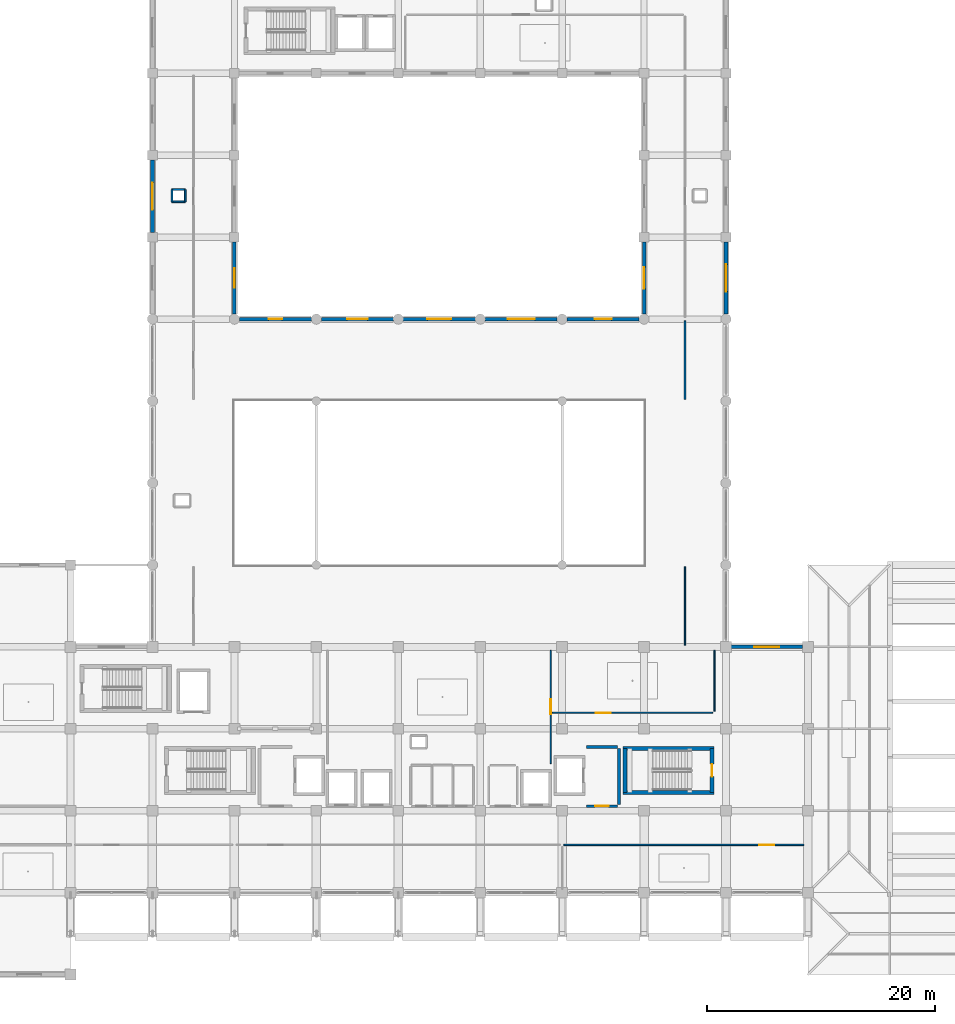
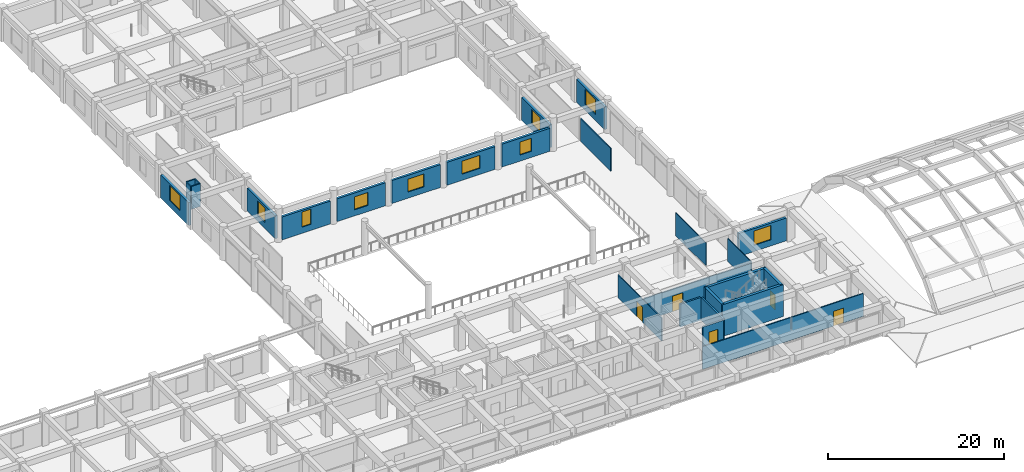
# One storey, part 35 of 54: 27 walls, 10 windows, 5 doors, 15 openings.
"""IFC4 building model written with IfcOpenShell, lengths in metres."""

from ifc_helpers import new_model, si_unit, direction, frame, frame_2d, origin, place, context, subcontext, project, spatial, rectangle, extrude, material, layer, layer_set, type_object, element, fill, save


model = new_model("IFC4")

# Units and contexts
model_context = context("Model", 3, precision=1e-05, world=origin(), true_north=direction((0.0, 1.0)))
body_context = subcontext(model_context, "Body", "Model", "MODEL_VIEW")
ifc_project = project(units=[si_unit("LENGTHUNIT", "METRE"), si_unit("AREAUNIT", "SQUARE_METRE"), si_unit("VOLUMEUNIT", "CUBIC_METRE"), si_unit("PLANEANGLEUNIT", "RADIAN"), si_unit("MASSUNIT", "GRAM", prefix="KILO")], contexts=[model_context])

# Site, building, storey
site_placement = place(None, origin())
site = spatial("IfcSite", under=ifc_project, at=site_placement, CompositionType="ELEMENT")
building_placement = place(site_placement, origin())
building = spatial("IfcBuilding", under=site, at=building_placement, Name="Kazehaya Institute of Natural Sciences", CompositionType="ELEMENT")
storey_placement = place(building_placement, frame((0.0, 0.0, 10.43994140625)))
storey = spatial("IfcBuildingStorey", under=building, at=storey_placement, Name="L02", CompositionType="ELEMENT", Elevation=10.43994140625)

# Walls
ifc_material_1 = material(Name="Concrete Fc42", Category="concrete")
ifc_layer_1 = layer(ifc_material_1, 0.35009765625, Name="Concrete Fc42", Category="concrete")
ifc_layer_set_1 = layer_set([ifc_layer_1], Name="Concrete Fc42")
wall_type_1 = type_object("IfcWallType", Name="WL-CORE-350", PredefinedType="SHEAR", material=ifc_layer_set_1)
for number, where, z_axis, x_axis, name in (
    (1, (111.155029296875, 22.820068359375, 0.0), (0.0, 0.0, 1.0), (-1.0, 0.0, 0.0), "L02 ST-2 core wall S"),
    (2, (103.14501953125, 26.659912109375, 0.0), (0.0, 0.0, 1.0), (1.0, 0.0, 0.0), "L02 ST-2 core wall N"),
):
    element("IfcWall", number, at=place(storey_placement, frame(where, z_axis=z_axis, x_axis=x_axis)), inside=storey, type_object=wall_type_1, Name=name, PredefinedType="SHEAR", context=body_context, shape_type="SweptSolid", body=[
        extrude(rectangle(XDim=8.010009765625, YDim=0.35009765625, at=frame_2d((4.0048828125, 0.0))), origin(), (0.0, 0.0, 1.0), 4.41015625),
    ])
wall_1_placement = place(storey_placement, frame((103.320068359375, 22.820068359375, 0.0), z_axis=(0.0, 0.0, 1.0), x_axis=(0.0, 1.0, 0.0)))
element("IfcWall", 3, at=wall_1_placement, inside=storey, type_object=wall_type_1, Name="L02 ST-2 core wall W", PredefinedType="SHEAR", context=body_context, shape_type="SweptSolid", body=[
    extrude(rectangle(XDim=3.83984375, YDim=0.35009765625, at=frame_2d((1.919921875, 0.0))), origin(), (0.0, 0.0, 1.0), 4.41015625),
])

# Wall, opening, door
wall_2_placement = place(storey_placement, frame((110.97998046875, 26.659912109375, 0.0), z_axis=(0.0, 0.0, 1.0), x_axis=(0.0, -1.0, 0.0)))
wall_2 = element("IfcWall", 4, at=wall_2_placement, inside=storey, type_object=wall_type_1, Name="L02 ST-2 core wall E", PredefinedType="SHEAR", context=body_context, shape_type="SweptSolid", body=[
    extrude(rectangle(XDim=3.83984375, YDim=0.35009765625, at=frame_2d((1.919921875, 0.0))), origin(), (0.0, 0.0, 1.0), 4.41015625),
])
opening_1_placement = place(wall_2_placement, frame((1.3701171875, 0.0, 0.0)))
opening_1 = element("IfcOpeningElement", 5, at=opening_1_placement, cuts=wall_2, Name="Opening D-ST-015", PredefinedType="OPENING", context=body_context, shape_type="SweptSolid", body=[
    extrude(rectangle(XDim=1.10009765625, YDim=2.06005859375, at=frame_2d((0.550048828125, 1.030029296875))), frame((0.0, 0.18505859375, 0.0), z_axis=(0.0, -1.0, 0.0), x_axis=(1.0, 0.0, 0.0)), (0.0, 0.0, 1.0), 0.3701171875),
])
ifc_material_2 = material(Name="Fire-rated steel acoustic door", Category="steel")
door_type_1 = type_object("IfcDoorType", Name="DT-FD-16", OperationType="NOTDEFINED", PredefinedType="DOOR", material=ifc_material_2)
door_1_placement = place(opening_1_placement, origin())
door_1 = element("IfcDoor", 6, at=door_1_placement, inside=storey, type_object=door_type_1, Name="L02 ST-2 stair enclosure door D-ST-015", OperationType="SINGLE_SWING_LEFT", OverallHeight=2.06005859375, OverallWidth=1.10009765625, PredefinedType="DOOR", context=body_context, shape_type="SweptSolid", body=[
    extrude(rectangle(XDim=1.10009765625, YDim=2.06005859375, at=frame_2d((0.550048828125, 1.030029296875))), frame((0.0, 0.02490234375, 0.0), z_axis=(0.0, -1.0, 0.0), x_axis=(1.0, 0.0, 0.0)), (0.0, 0.0, 1.0), 0.050048828125),
])
fill(opening_1, door_1)

# Wall, opening, window
ifc_material_3 = material(Name="Precast concrete Fc36", Category="concrete")
ifc_layer_2 = layer(ifc_material_3, 0.31005859375, Name="Precast concrete Fc36", Category="concrete")
ifc_layer_set_2 = layer_set([ifc_layer_2], Name="Precast concrete Fc36")
wall_type_2 = type_object("IfcWallType", Name="WL-EXT-310", PredefinedType="SOLIDWALL", material=ifc_layer_set_2)
wall_3_placement = place(storey_placement, frame((69.43505859375, 64.39990234375, 0.0), z_axis=(0.0, 0.0, 1.0), x_axis=(1.0, 0.0, 0.0)))
wall_3 = element("IfcWall", 7, at=wall_3_placement, inside=storey, type_object=wall_type_2, Name="L02 exterior wall EW-L02-0193", PredefinedType="SOLIDWALL", context=body_context, shape_type="SweptSolid", body=[
    extrude(rectangle(XDim=6.329833984375, YDim=0.31005859375, at=frame_2d((3.1650390625, 0.0))), origin(), (0.0, 0.0, 1.0), 3.18017578125),
])
opening_2_placement = place(wall_3_placement, frame((2.56494140625, 0.0, 0.85009765625)))
opening_2 = element("IfcOpeningElement", 8, at=opening_2_placement, cuts=wall_3, Name="Opening W10", PredefinedType="OPENING", context=body_context, shape_type="SweptSolid", body=[
    extrude(rectangle(XDim=1.199951171875, YDim=2.10009765625, at=frame_2d((0.60009765625, 1.050048828125))), frame((0.0, 0.1650390625, 0.0), z_axis=(0.0, -1.0, 0.0), x_axis=(1.0, 0.0, 0.0)), (0.0, 0.0, 1.0), 0.330078125),
])
ifc_material_4 = material(Name="Low-E double-glazed aluminium window", Category="aluminium")
window_type_1 = type_object("IfcWindowType", Name="WN-10", PartitioningType="SINGLE_PANEL", PredefinedType="WINDOW", material=ifc_material_4)
window_1_placement = place(opening_2_placement, origin())
window_1 = element("IfcWindow", 9, at=window_1_placement, inside=storey, type_object=window_type_1, Name="L02 facade window 0095", OverallHeight=2.10009765625, OverallWidth=1.199951171875, PartitioningType="SINGLE_PANEL", PredefinedType="WINDOW", context=body_context, shape_type="SweptSolid", body=[
    extrude(rectangle(XDim=1.199951171875, YDim=2.10009765625, at=frame_2d((0.60009765625, 1.050048828125))), frame((0.0, 0.030029296875, 0.0), z_axis=(0.0, -1.0, 0.0), x_axis=(1.0, 0.0, 0.0)), (0.0, 0.0, 1.0), 0.06005859375),
])
fill(opening_2, window_1)

wall_4_placement = place(storey_placement, frame((76.635009765625, 64.39990234375, 0.0), z_axis=(0.0, 0.0, 1.0), x_axis=(1.0, 0.0, 0.0)))
wall_4 = element("IfcWall", 10, at=wall_4_placement, inside=storey, type_object=wall_type_2, Name="L02 exterior wall EW-L02-0194", PredefinedType="SOLIDWALL", context=body_context, shape_type="SweptSolid", body=[
    extrude(rectangle(XDim=6.330078125, YDim=0.31005859375, at=frame_2d((3.1650390625, 0.0))), origin(), (0.0, 0.0, 1.0), 3.18017578125),
])
opening_3_placement = place(wall_4_placement, frame((2.264892578125, 0.0, 0.85009765625)))
opening_3 = element("IfcOpeningElement", 11, at=opening_3_placement, cuts=wall_4, Name="Opening W11", PredefinedType="OPENING", context=body_context, shape_type="SweptSolid", body=[
    extrude(rectangle(XDim=1.800048828125, YDim=1.800048828125, at=frame_2d((0.89990234375, 0.89990234375))), frame((0.0, 0.1650390625, 0.0), z_axis=(0.0, -1.0, 0.0), x_axis=(1.0, 0.0, 0.0)), (0.0, 0.0, 1.0), 0.330078125),
])
window_type_2 = type_object("IfcWindowType", Name="WN-11", PartitioningType="DOUBLE_PANEL_VERTICAL", PredefinedType="WINDOW", material=ifc_material_4)
window_2_placement = place(opening_3_placement, origin())
window_2 = element("IfcWindow", 12, at=window_2_placement, inside=storey, type_object=window_type_2, Name="L02 facade window 0096", OverallHeight=1.800048828125, OverallWidth=1.800048828125, PartitioningType="DOUBLE_PANEL_VERTICAL", PredefinedType="WINDOW", context=body_context, shape_type="SweptSolid", body=[
    extrude(rectangle(XDim=1.800048828125, YDim=1.800048828125, at=frame_2d((0.89990234375, 0.89990234375))), frame((0.0, 0.030029296875, 0.0), z_axis=(0.0, -1.0, 0.0), x_axis=(1.0, 0.0, 0.0)), (0.0, 0.0, 1.0), 0.06005859375),
])
fill(opening_3, window_2)

wall_5_placement = place(storey_placement, frame((83.8349609375, 64.39990234375, 0.0), z_axis=(0.0, 0.0, 1.0), x_axis=(1.0, 0.0, 0.0)))
wall_5 = element("IfcWall", 13, at=wall_5_placement, inside=storey, type_object=wall_type_2, Name="L02 exterior wall EW-L02-0195", PredefinedType="SOLIDWALL", context=body_context, shape_type="SweptSolid", body=[
    extrude(rectangle(XDim=6.330078125, YDim=0.31005859375, at=frame_2d((3.1650390625, 0.0))), origin(), (0.0, 0.0, 1.0), 3.18017578125),
])
opening_4_placement = place(wall_5_placement, frame((2.114990234375, 0.0, 0.85009765625)))
opening_4 = element("IfcOpeningElement", 14, at=opening_4_placement, cuts=wall_5, Name="Opening W12", PredefinedType="OPENING", context=body_context, shape_type="SweptSolid", body=[
    extrude(rectangle(XDim=2.10009765625, YDim=1.800048828125, at=frame_2d((1.050048828125, 0.89990234375))), frame((0.0, 0.1650390625, 0.0), z_axis=(0.0, -1.0, 0.0), x_axis=(1.0, 0.0, 0.0)), (0.0, 0.0, 1.0), 0.330078125),
])
window_type_3 = type_object("IfcWindowType", Name="WN-12", PartitioningType="DOUBLE_PANEL_VERTICAL", PredefinedType="WINDOW", material=ifc_material_4)
window_3_placement = place(opening_4_placement, origin())
window_3 = element("IfcWindow", 15, at=window_3_placement, inside=storey, type_object=window_type_3, Name="L02 facade window 0097", OverallHeight=1.800048828125, OverallWidth=2.10009765625, PartitioningType="DOUBLE_PANEL_VERTICAL", PredefinedType="WINDOW", context=body_context, shape_type="SweptSolid", body=[
    extrude(rectangle(XDim=2.10009765625, YDim=1.800048828125, at=frame_2d((1.050048828125, 0.89990234375))), frame((0.0, 0.030029296875, 0.0), z_axis=(0.0, -1.0, 0.0), x_axis=(1.0, 0.0, 0.0)), (0.0, 0.0, 1.0), 0.06005859375),
])
fill(opening_4, window_3)

wall_6_placement = place(storey_placement, frame((91.034912109375, 64.39990234375, 0.0), z_axis=(0.0, 0.0, 1.0), x_axis=(1.0, 0.0, 0.0)))
wall_6 = element("IfcWall", 16, at=wall_6_placement, inside=storey, type_object=wall_type_2, Name="L02 exterior wall EW-L02-0196", PredefinedType="SOLIDWALL", context=body_context, shape_type="SweptSolid", body=[
    extrude(rectangle(XDim=6.330078125, YDim=0.31005859375, at=frame_2d((3.1650390625, 0.0))), origin(), (0.0, 0.0, 1.0), 3.18017578125),
])
opening_5_placement = place(wall_6_placement, frame((1.965087890625, 0.0, 0.85009765625)))
opening_5 = element("IfcOpeningElement", 17, at=opening_5_placement, cuts=wall_6, Name="Opening W13", PredefinedType="OPENING", context=body_context, shape_type="SweptSolid", body=[
    extrude(rectangle(XDim=2.39990234375, YDim=1.800048828125, at=frame_2d((1.199951171875, 0.89990234375))), frame((0.0, 0.1650390625, 0.0), z_axis=(0.0, -1.0, 0.0), x_axis=(1.0, 0.0, 0.0)), (0.0, 0.0, 1.0), 0.330078125),
])
window_type_4 = type_object("IfcWindowType", Name="WN-13", PartitioningType="DOUBLE_PANEL_VERTICAL", PredefinedType="WINDOW", material=ifc_material_4)
window_4_placement = place(opening_5_placement, origin())
window_4 = element("IfcWindow", 18, at=window_4_placement, inside=storey, type_object=window_type_4, Name="L02 facade window 0098", OverallHeight=1.800048828125, OverallWidth=2.39990234375, PartitioningType="DOUBLE_PANEL_VERTICAL", PredefinedType="WINDOW", context=body_context, shape_type="SweptSolid", body=[
    extrude(rectangle(XDim=2.39990234375, YDim=1.800048828125, at=frame_2d((1.199951171875, 0.89990234375))), frame((0.0, 0.030029296875, 0.0), z_axis=(0.0, -1.0, 0.0), x_axis=(1.0, 0.0, 0.0)), (0.0, 0.0, 1.0), 0.06005859375),
])
fill(opening_5, window_4)

wall_7_placement = place(storey_placement, frame((98.235107421875, 64.39990234375, 0.0), z_axis=(0.0, 0.0, 1.0), x_axis=(1.0, 0.0, 0.0)))
wall_7 = element("IfcWall", 19, at=wall_7_placement, inside=storey, type_object=wall_type_2, Name="L02 exterior wall EW-L02-0197", PredefinedType="SOLIDWALL", context=body_context, shape_type="SweptSolid", body=[
    extrude(rectangle(XDim=6.329833984375, YDim=0.31005859375, at=frame_2d((3.1650390625, 0.0))), origin(), (0.0, 0.0, 1.0), 3.18017578125),
])
opening_6_placement = place(wall_7_placement, frame((2.4150390625, 0.0, 0.85009765625)))
opening_6 = element("IfcOpeningElement", 20, at=opening_6_placement, cuts=wall_7, Name="Opening W14", PredefinedType="OPENING", context=body_context, shape_type="SweptSolid", body=[
    extrude(rectangle(XDim=1.5, YDim=1.800048828125, at=frame_2d((0.75, 0.89990234375))), frame((0.0, 0.1650390625, 0.0), z_axis=(0.0, -1.0, 0.0), x_axis=(1.0, 0.0, 0.0)), (0.0, 0.0, 1.0), 0.330078125),
])
window_type_5 = type_object("IfcWindowType", Name="WN-14", PartitioningType="SINGLE_PANEL", PredefinedType="WINDOW", material=ifc_material_4)
window_5_placement = place(opening_6_placement, origin())
window_5 = element("IfcWindow", 21, at=window_5_placement, inside=storey, type_object=window_type_5, Name="L02 facade window 0099", OverallHeight=1.800048828125, OverallWidth=1.5, PartitioningType="SINGLE_PANEL", PredefinedType="WINDOW", context=body_context, shape_type="SweptSolid", body=[
    extrude(rectangle(XDim=1.5, YDim=1.800048828125, at=frame_2d((0.75, 0.89990234375))), frame((0.0, 0.030029296875, 0.0), z_axis=(0.0, -1.0, 0.0), x_axis=(1.0, 0.0, 0.0)), (0.0, 0.0, 1.0), 0.06005859375),
])
fill(opening_6, window_5)

wall_8_placement = place(storey_placement, frame((112.659912109375, 35.60009765625, 0.0), z_axis=(0.0, 0.0, 1.0), x_axis=(1.0, 0.0, 0.0)))
wall_8 = element("IfcWall", 22, at=wall_8_placement, inside=storey, type_object=wall_type_2, Name="L02 exterior wall EW-L02-0199", PredefinedType="SOLIDWALL", context=body_context, shape_type="SweptSolid", body=[
    extrude(rectangle(XDim=6.280029296875, YDim=0.31005859375, at=frame_2d((3.14013671875, 0.0))), origin(), (0.0, 0.0, 1.0), 3.18017578125),
])
opening_7_placement = place(wall_8_placement, frame((2.0400390625, 0.0, 0.85009765625)))
opening_7 = element("IfcOpeningElement", 23, at=opening_7_placement, cuts=wall_8, Name="Opening W20", PredefinedType="OPENING", context=body_context, shape_type="SweptSolid", body=[
    extrude(rectangle(XDim=2.199951171875, YDim=2.0, at=frame_2d((1.10009765625, 1.0))), frame((0.0, 0.1650390625, 0.0), z_axis=(0.0, -1.0, 0.0), x_axis=(1.0, 0.0, 0.0)), (0.0, 0.0, 1.0), 0.330078125),
])
window_type_6 = type_object("IfcWindowType", Name="WN-20", PartitioningType="DOUBLE_PANEL_VERTICAL", PredefinedType="WINDOW", material=ifc_material_4)
window_6_placement = place(opening_7_placement, origin())
window_6 = element("IfcWindow", 24, at=window_6_placement, inside=storey, type_object=window_type_6, Name="L02 facade window 0101", OverallHeight=2.0, OverallWidth=2.199951171875, PartitioningType="DOUBLE_PANEL_VERTICAL", PredefinedType="WINDOW", context=body_context, shape_type="SweptSolid", body=[
    extrude(rectangle(XDim=2.199951171875, YDim=2.0, at=frame_2d((1.10009765625, 1.0))), frame((0.0, 0.030029296875, 0.0), z_axis=(0.0, -1.0, 0.0), x_axis=(1.0, 0.0, 0.0)), (0.0, 0.0, 1.0), 0.06005859375),
])
fill(opening_7, window_6)

wall_9_placement = place(storey_placement, frame((69.0, 71.18994140625, 0.0), z_axis=(0.0, 0.0, 1.0), x_axis=(0.0, -1.0, 0.0)))
wall_9 = element("IfcWall", 25, at=wall_9_placement, inside=storey, type_object=wall_type_2, Name="L02 exterior wall EW-L02-0202", PredefinedType="SOLIDWALL", context=body_context, shape_type="SweptSolid", body=[
    extrude(rectangle(XDim=6.35498046875, YDim=0.31005859375, at=frame_2d((3.177490234375, 0.0))), origin(), (0.0, 0.0, 1.0), 3.18017578125),
])
opening_8_placement = place(wall_9_placement, frame((2.327392578125, 0.0, 0.85009765625)))
opening_8 = element("IfcOpeningElement", 26, at=opening_8_placement, cuts=wall_9, Name="Opening W22", PredefinedType="OPENING", context=body_context, shape_type="SweptSolid", body=[
    extrude(rectangle(XDim=1.699951171875, YDim=2.0, at=frame_2d((0.85009765625, 1.0))), frame((0.0, 0.1650390625, 0.0), z_axis=(0.0, -1.0, 0.0), x_axis=(1.0, 0.0, 0.0)), (0.0, 0.0, 1.0), 0.330078125),
])
window_type_7 = type_object("IfcWindowType", Name="WN-22", PartitioningType="SINGLE_PANEL", PredefinedType="WINDOW", material=ifc_material_4)
window_7_placement = place(opening_8_placement, origin())
window_7 = element("IfcWindow", 27, at=window_7_placement, inside=storey, type_object=window_type_7, Name="L02 facade window 0104", OverallHeight=2.0, OverallWidth=1.699951171875, PartitioningType="SINGLE_PANEL", PredefinedType="WINDOW", context=body_context, shape_type="SweptSolid", body=[
    extrude(rectangle(XDim=1.699951171875, YDim=2.0, at=frame_2d((0.85009765625, 1.0))), frame((0.0, 0.030029296875, 0.0), z_axis=(0.0, -1.0, 0.0), x_axis=(1.0, 0.0, 0.0)), (0.0, 0.0, 1.0), 0.06005859375),
])
fill(opening_8, window_7)

wall_10_placement = place(storey_placement, frame((105.0, 64.8349609375, 0.0), z_axis=(0.0, 0.0, 1.0), x_axis=(0.0, 1.0, 0.0)))
wall_10 = element("IfcWall", 28, at=wall_10_placement, inside=storey, type_object=wall_type_2, Name="L02 exterior wall EW-L02-0203", PredefinedType="SOLIDWALL", context=body_context, shape_type="SweptSolid", body=[
    extrude(rectangle(XDim=6.35498046875, YDim=0.31005859375, at=frame_2d((3.177490234375, 0.0))), origin(), (0.0, 0.0, 1.0), 3.18017578125),
])
opening_9_placement = place(wall_10_placement, frame((2.2275390625, 0.0, 0.85009765625)))
opening_9 = element("IfcOpeningElement", 29, at=opening_9_placement, cuts=wall_10, Name="Opening W23", PredefinedType="OPENING", context=body_context, shape_type="SweptSolid", body=[
    extrude(rectangle(XDim=1.89990234375, YDim=2.0, at=frame_2d((0.949951171875, 1.0))), frame((0.0, 0.1650390625, 0.0), z_axis=(0.0, -1.0, 0.0), x_axis=(1.0, 0.0, 0.0)), (0.0, 0.0, 1.0), 0.330078125),
])
window_type_8 = type_object("IfcWindowType", Name="WN-23", PartitioningType="DOUBLE_PANEL_VERTICAL", PredefinedType="WINDOW", material=ifc_material_4)
window_8_placement = place(opening_9_placement, origin())
window_8 = element("IfcWindow", 30, at=window_8_placement, inside=storey, type_object=window_type_8, Name="L02 facade window 0105", OverallHeight=2.0, OverallWidth=1.89990234375, PartitioningType="DOUBLE_PANEL_VERTICAL", PredefinedType="WINDOW", context=body_context, shape_type="SweptSolid", body=[
    extrude(rectangle(XDim=1.89990234375, YDim=2.0, at=frame_2d((0.949951171875, 1.0))), frame((0.0, 0.030029296875, 0.0), z_axis=(0.0, -1.0, 0.0), x_axis=(1.0, 0.0, 0.0)), (0.0, 0.0, 1.0), 0.06005859375),
])
fill(opening_9, window_8)

ifc_layer_3 = layer(ifc_material_3, 0.320068359375, Name="Precast concrete Fc36", Category="concrete")
ifc_layer_set_3 = layer_set([ifc_layer_3], Name="Precast concrete Fc36")
wall_type_3 = type_object("IfcWallType", Name="WL-EXT-320", PredefinedType="SOLIDWALL", material=ifc_layer_set_3)
wall_11_placement = place(storey_placement, frame((112.199951171875, 71.18994140625, 0.0), z_axis=(0.0, 0.0, 1.0), x_axis=(0.0, -1.0, 0.0)))
wall_11 = element("IfcWall", 31, at=wall_11_placement, inside=storey, type_object=wall_type_3, Name="L02 exterior wall EW-L02-0201", PredefinedType="SOLIDWALL", context=body_context, shape_type="SweptSolid", body=[
    extrude(rectangle(XDim=6.35498046875, YDim=0.320068359375, at=frame_2d((3.177490234375, 0.0))), origin(), (0.0, 0.0, 1.0), 3.18017578125),
])
opening_10_placement = place(wall_11_placement, frame((1.9775390625, 0.0, 0.85009765625)))
opening_10 = element("IfcOpeningElement", 32, at=opening_10_placement, cuts=wall_11, Name="Opening W08", PredefinedType="OPENING", context=body_context, shape_type="SweptSolid", body=[
    extrude(rectangle(XDim=2.39990234375, YDim=2.10009765625, at=frame_2d((1.199951171875, 1.050048828125))), frame((0.0, 0.169921875, 0.0), z_axis=(0.0, -1.0, 0.0), x_axis=(1.0, 0.0, 0.0)), (0.0, 0.0, 1.0), 0.340087890625),
])
window_type_9 = type_object("IfcWindowType", Name="WN-08", PartitioningType="DOUBLE_PANEL_VERTICAL", PredefinedType="WINDOW", material=ifc_material_4)
window_9_placement = place(opening_10_placement, origin())
window_9 = element("IfcWindow", 33, at=window_9_placement, inside=storey, type_object=window_type_9, Name="L02 facade window 0103", OverallHeight=2.10009765625, OverallWidth=2.39990234375, PartitioningType="DOUBLE_PANEL_VERTICAL", PredefinedType="WINDOW", context=body_context, shape_type="SweptSolid", body=[
    extrude(rectangle(XDim=2.39990234375, YDim=2.10009765625, at=frame_2d((1.199951171875, 1.050048828125))), frame((0.0, 0.030029296875, 0.0), z_axis=(0.0, -1.0, 0.0), x_axis=(1.0, 0.0, 0.0)), (0.0, 0.0, 1.0), 0.06005859375),
])
fill(opening_10, window_9)

wall_12_placement = place(storey_placement, frame((61.800048828125, 72.010009765625, 0.0), z_axis=(0.0, 0.0, 1.0), x_axis=(0.0, 1.0, 0.0)))
wall_12 = element("IfcWall", 34, at=wall_12_placement, inside=storey, type_object=wall_type_3, Name="L02 exterior wall EW-L02-0204", PredefinedType="SOLIDWALL", context=body_context, shape_type="SweptSolid", body=[
    extrude(rectangle(XDim=6.3798828125, YDim=0.320068359375, at=frame_2d((3.18994140625, 0.0))), origin(), (0.0, 0.0, 1.0), 3.18017578125),
])
opening_11_placement = place(wall_12_placement, frame((1.989990234375, 0.0, 0.85009765625)))
opening_11 = element("IfcOpeningElement", 35, at=opening_11_placement, cuts=wall_12, Name="Opening W08", PredefinedType="OPENING", context=body_context, shape_type="SweptSolid", body=[
    extrude(rectangle(XDim=2.39990234375, YDim=2.10009765625, at=frame_2d((1.199951171875, 1.050048828125))), frame((0.0, 0.169921875, 0.0), z_axis=(0.0, -1.0, 0.0), x_axis=(1.0, 0.0, 0.0)), (0.0, 0.0, 1.0), 0.340087890625),
])
window_10_placement = place(opening_11_placement, origin())
window_10 = element("IfcWindow", 36, at=window_10_placement, inside=storey, type_object=window_type_9, Name="L02 facade window 0106", OverallHeight=2.10009765625, OverallWidth=2.39990234375, PartitioningType="DOUBLE_PANEL_VERTICAL", PredefinedType="WINDOW", context=body_context, shape_type="SweptSolid", body=[
    extrude(rectangle(XDim=2.39990234375, YDim=2.10009765625, at=frame_2d((1.199951171875, 1.050048828125))), frame((0.0, 0.030029296875, 0.0), z_axis=(0.0, -1.0, 0.0), x_axis=(1.0, 0.0, 0.0)), (0.0, 0.0, 1.0), 0.06005859375),
])
fill(opening_11, window_10)

# Wall, opening, door
ifc_material_5 = material(Name="Concrete Fc36", Category="concrete")
ifc_layer_4 = layer(ifc_material_5, 0.22998046875, Name="Concrete Fc36", Category="concrete")
ifc_layer_set_4 = layer_set([ifc_layer_4], Name="Concrete Fc36")
wall_type_4 = type_object("IfcWallType", Name="WL-FFL-230", PredefinedType="PARTITIONING", material=ifc_layer_set_4)
wall_13_placement = place(storey_placement, frame((102.64990234375, 21.60009765625, 0.0), z_axis=(0.0, 0.0, 1.0), x_axis=(-1.0, 0.0, 0.0)))
wall_13 = element("IfcWall", 37, at=wall_13_placement, inside=storey, type_object=wall_type_4, Name="L02 East Firefighting Lift Lobby partition IW-L02-0132", PredefinedType="PARTITIONING", context=body_context, shape_type="SweptSolid", body=[
    extrude(rectangle(XDim=2.699951171875, YDim=0.22998046875, at=frame_2d((1.35009765625, 0.0))), origin(), (0.0, 0.0, 1.0), 3.16015625),
])
opening_12_placement = place(wall_13_placement, frame((0.760009765625, 0.0, 0.0)))
opening_12 = element("IfcOpeningElement", 38, at=opening_12_placement, cuts=wall_13, Name="Opening D-L02-0099", PredefinedType="OPENING", context=body_context, shape_type="SweptSolid", body=[
    extrude(rectangle(XDim=1.179931640625, YDim=2.179931640625, at=frame_2d((0.58984375, 1.08984375))), frame((0.0, 0.125, 0.0), z_axis=(0.0, -1.0, 0.0), x_axis=(1.0, 0.0, 0.0)), (0.0, 0.0, 1.0), 0.25),
])
door_type_2 = type_object("IfcDoorType", Name="DT-FD-24", OperationType="NOTDEFINED", PredefinedType="DOOR", material=ifc_material_2)
door_2_placement = place(opening_12_placement, origin())
door_2 = element("IfcDoor", 39, at=door_2_placement, inside=storey, type_object=door_type_2, Name="L02 East Firefighting Lift Lobby door D-L02-0099", OperationType="SINGLE_SWING_LEFT", OverallHeight=2.179931640625, OverallWidth=1.179931640625, PredefinedType="DOOR", context=body_context, shape_type="SweptSolid", body=[
    extrude(rectangle(XDim=1.179931640625, YDim=2.179931640625, at=frame_2d((0.58984375, 1.08984375))), frame((0.0, 0.02490234375, 0.0), z_axis=(0.0, -1.0, 0.0), x_axis=(1.0, 0.0, 0.0)), (0.0, 0.0, 1.0), 0.050048828125),
])
fill(opening_12, door_2)

# Walls
wall_14_placement = place(storey_placement, frame((99.949951171875, 26.800048828125, 0.0), z_axis=(0.0, 0.0, 1.0), x_axis=(1.0, 0.0, 0.0)))
element("IfcWall", 40, at=wall_14_placement, inside=storey, type_object=wall_type_4, Name="L02 East Firefighting Lift Lobby partition IW-L02-0133", PredefinedType="PARTITIONING", context=body_context, shape_type="SweptSolid", body=[
    extrude(rectangle(XDim=2.699951171875, YDim=0.22998046875, at=frame_2d((1.35009765625, 0.0))), origin(), (0.0, 0.0, 1.0), 3.16015625),
])
wall_15_placement = place(storey_placement, frame((102.800048828125, 26.64990234375, 0.0), z_axis=(0.0, 0.0, 1.0), x_axis=(0.0, -1.0, 0.0)))
element("IfcWall", 41, at=wall_15_placement, inside=storey, type_object=wall_type_4, Name="L02 East Firefighting Lift Lobby partition IW-L02-0134", PredefinedType="PARTITIONING", context=body_context, shape_type="SweptSolid", body=[
    extrude(rectangle(XDim=4.89990234375, YDim=0.22998046875, at=frame_2d((2.449951171875, 0.0))), origin(), (0.0, 0.0, 1.0), 3.16015625),
])
ifc_material_6 = material(Name="Lightweight chase partition")
ifc_layer_5 = layer(ifc_material_6, 0.10009765625, Name="Lightweight chase partition")
ifc_layer_set_5 = layer_set([ifc_layer_5], Name="Lightweight chase partition")
wall_type_5 = type_object("IfcWallType", Name="WL-PART-100", PredefinedType="PARTITIONING", material=ifc_layer_set_5)
wall_16_placement = place(storey_placement, frame((108.60009765625, 42.64990234375, 0.0), z_axis=(0.0, 0.0, 1.0), x_axis=(0.0, -1.0, 0.0)))
element("IfcWall", 42, at=wall_16_placement, inside=storey, type_object=wall_type_5, Name="L02 Atrium Gallery Lounge partition IW-L02-0162", PredefinedType="PARTITIONING", context=body_context, shape_type="SweptSolid", body=[
    extrude(rectangle(XDim=6.89990234375, YDim=0.10009765625, at=frame_2d((3.449951171875, 0.0))), origin(), (0.0, 0.0, 1.0), 3.16015625),
])

# Wall, opening, door
ifc_material_7 = material(Name="Glazed office demountable partition")
ifc_layer_6 = layer(ifc_material_7, 0.110107421875, Name="Glazed office demountable partition")
ifc_layer_set_6 = layer_set([ifc_layer_6], Name="Glazed office demountable partition")
wall_type_6 = type_object("IfcWallType", Name="WL-PART-110", PredefinedType="PARTITIONING", material=ifc_layer_set_6)
wall_17_placement = place(storey_placement, frame((111.030029296875, 29.800048828125, 0.0), z_axis=(0.0, 0.0, 1.0), x_axis=(-1.0, 0.0, 0.0)))
wall_17 = element("IfcWall", 43, at=wall_17_placement, inside=storey, type_object=wall_type_6, Name="L02 Cold Room and Autoclave Alcove partition IW-L02-0155", PredefinedType="PARTITIONING", context=body_context, shape_type="SweptSolid", body=[
    extrude(rectangle(XDim=14.080078125, YDim=0.110107421875, at=frame_2d((7.0400390625, 0.0))), origin(), (0.0, 0.0, 1.0), 3.16015625),
])
opening_13_placement = place(wall_17_placement, frame((8.969970703125, 0.0, 0.0)))
opening_13 = element("IfcOpeningElement", 44, at=opening_13_placement, cuts=wall_17, Name="Opening D-L02-0108", PredefinedType="OPENING", context=body_context, shape_type="SweptSolid", body=[
    extrude(rectangle(XDim=1.320068359375, YDim=2.159912109375, at=frame_2d((0.66015625, 1.080078125))), frame((0.0, 0.06494140625, 0.0), z_axis=(0.0, -1.0, 0.0), x_axis=(1.0, 0.0, 0.0)), (0.0, 0.0, 1.0), 0.130126953125),
])
ifc_material_8 = material(Name="Flush timber and aluminium laboratory door", Category="wood")
door_type_3 = type_object("IfcDoorType", Name="DT-INT-47", OperationType="NOTDEFINED", PredefinedType="DOOR", material=ifc_material_8)
door_3_placement = place(opening_13_placement, origin())
door_3 = element("IfcDoor", 45, at=door_3_placement, inside=storey, type_object=door_type_3, Name="L02 Cold Room and Autoclave Alcove door D-L02-0108", OperationType="SINGLE_SWING_RIGHT", OverallHeight=2.159912109375, OverallWidth=1.320068359375, PredefinedType="DOOR", context=body_context, shape_type="SweptSolid", body=[
    extrude(rectangle(XDim=1.320068359375, YDim=2.159912109375, at=frame_2d((0.66015625, 1.080078125))), frame((0.0, 0.02490234375, 0.0), z_axis=(0.0, -1.0, 0.0), x_axis=(1.0, 0.0, 0.0)), (0.0, 0.0, 1.0), 0.050048828125),
])
fill(opening_13, door_3)

# Wall
wall_18_placement = place(storey_placement, frame((111.179931640625, 35.300048828125, 0.0), z_axis=(0.0, 0.0, 1.0), x_axis=(0.0, -1.0, 0.0)))
element("IfcWall", 46, at=wall_18_placement, inside=storey, type_object=wall_type_6, Name="L02 Cold Room and Autoclave Alcove partition IW-L02-0156", PredefinedType="PARTITIONING", context=body_context, shape_type="SweptSolid", body=[
    extrude(rectangle(XDim=5.35009765625, YDim=0.110107421875, at=frame_2d((2.675048828125, 0.0))), origin(), (0.0, 0.0, 1.0), 3.16015625),
])

# Wall, opening, door
ifc_material_9 = material(Name="Moisture-resistant WC partition")
ifc_layer_7 = layer(ifc_material_9, 0.1298828125, Name="Moisture-resistant WC partition")
ifc_layer_set_7 = layer_set([ifc_layer_7], Name="Moisture-resistant WC partition")
wall_type_7 = type_object("IfcWallType", Name="WL-PART-130", PredefinedType="PARTITIONING", material=ifc_layer_set_7)
wall_19_placement = place(storey_placement, frame((96.800048828125, 35.300048828125, 0.0), z_axis=(0.0, 0.0, 1.0), x_axis=(0.0, -1.0, 0.0)))
wall_19 = element("IfcWall", 47, at=wall_19_placement, inside=storey, type_object=wall_type_7, Name="L02 Chromatography Laboratory partition IW-L02-0154", PredefinedType="PARTITIONING", context=body_context, shape_type="SweptSolid", body=[
    extrude(rectangle(XDim=9.949951171875, YDim=0.1298828125, at=frame_2d((4.97509765625, 0.0))), origin(), (0.0, 0.0, 1.0), 3.16015625),
])
opening_14_placement = place(wall_19_placement, frame((4.31494140625, 0.0, 0.0)))
opening_14 = element("IfcOpeningElement", 48, at=opening_14_placement, cuts=wall_19, Name="Opening D-L02-0107", PredefinedType="OPENING", context=body_context, shape_type="SweptSolid", body=[
    extrude(rectangle(XDim=1.320068359375, YDim=2.10009765625, at=frame_2d((0.66015625, 1.050048828125))), frame((0.0, 0.074951171875, 0.0), z_axis=(0.0, -1.0, 0.0), x_axis=(1.0, 0.0, 0.0)), (0.0, 0.0, 1.0), 0.14990234375),
])
door_type_4 = type_object("IfcDoorType", Name="DT-INT-46", OperationType="NOTDEFINED", PredefinedType="DOOR", material=ifc_material_8)
door_4_placement = place(opening_14_placement, origin())
door_4 = element("IfcDoor", 49, at=door_4_placement, inside=storey, type_object=door_type_4, Name="L02 Chromatography Laboratory door D-L02-0107", OperationType="SINGLE_SWING_LEFT", OverallHeight=2.10009765625, OverallWidth=1.320068359375, PredefinedType="DOOR", context=body_context, shape_type="SweptSolid", body=[
    extrude(rectangle(XDim=1.320068359375, YDim=2.10009765625, at=frame_2d((0.66015625, 1.050048828125))), frame((0.0, 0.02490234375, 0.0), z_axis=(0.0, -1.0, 0.0), x_axis=(1.0, 0.0, 0.0)), (0.0, 0.0, 1.0), 0.050048828125),
])
fill(opening_14, door_4)

ifc_material_10 = material(Name="Gypsum partition", Category="gypsum")
ifc_layer_8 = layer(ifc_material_10, 0.139892578125, Name="Gypsum partition", Category="gypsum")
ifc_layer_set_8 = layer_set([ifc_layer_8], Name="Gypsum partition")
wall_type_8 = type_object("IfcWallType", Name="WL-PART-140", PredefinedType="PARTITIONING", material=ifc_layer_set_8)
wall_20_placement = place(storey_placement, frame((97.949951171875, 18.199951171875, 0.0), z_axis=(0.0, 0.0, 1.0), x_axis=(1.0, 0.0, 0.0)))
wall_20 = element("IfcWall", 50, at=wall_20_placement, inside=storey, type_object=wall_type_8, Name="L02 Researcher Write-up Office partition IW-L02-0152", PredefinedType="PARTITIONING", context=body_context, shape_type="SweptSolid", body=[
    extrude(rectangle(XDim=21.10009765625, YDim=0.139892578125, at=frame_2d((10.550048828125, 0.0))), origin(), (0.0, 0.0, 1.0), 3.16015625),
])
opening_15_placement = place(wall_20_placement, frame((17.18994140625, 0.0, 0.0)))
opening_15 = element("IfcOpeningElement", 51, at=opening_15_placement, cuts=wall_20, Name="Opening D-L02-0106", PredefinedType="OPENING", context=body_context, shape_type="SweptSolid", body=[
    extrude(rectangle(XDim=1.320068359375, YDim=2.050048828125, at=frame_2d((0.66015625, 1.02490234375))), frame((0.0, 0.079833984375, 0.0), z_axis=(0.0, -1.0, 0.0), x_axis=(1.0, 0.0, 0.0)), (0.0, 0.0, 1.0), 0.159912109375),
])
door_type_5 = type_object("IfcDoorType", Name="DT-INT-45", OperationType="NOTDEFINED", PredefinedType="DOOR", material=ifc_material_8)
door_5_placement = place(opening_15_placement, origin())
door_5 = element("IfcDoor", 52, at=door_5_placement, inside=storey, type_object=door_type_5, Name="L02 Researcher Write-up Office door D-L02-0106", OperationType="SINGLE_SWING_RIGHT", OverallHeight=2.050048828125, OverallWidth=1.320068359375, PredefinedType="DOOR", context=body_context, shape_type="SweptSolid", body=[
    extrude(rectangle(XDim=1.320068359375, YDim=2.050048828125, at=frame_2d((0.66015625, 1.02490234375))), frame((0.0, 0.02490234375, 0.0), z_axis=(0.0, -1.0, 0.0), x_axis=(1.0, 0.0, 0.0)), (0.0, 0.0, 1.0), 0.050048828125),
])
fill(opening_15, door_5)

# Walls
wall_21_placement = place(storey_placement, frame((108.60009765625, 64.25, 0.0), z_axis=(0.0, 0.0, 1.0), x_axis=(0.0, -1.0, 0.0)))
element("IfcWall", 53, at=wall_21_placement, inside=storey, type_object=wall_type_8, Name="L02 Atrium North Study Gallery partition IW-L02-0164", PredefinedType="PARTITIONING", context=body_context, shape_type="SweptSolid", body=[
    extrude(rectangle(XDim=6.89990234375, YDim=0.139892578125, at=frame_2d((3.449951171875, 0.0))), origin(), (0.0, 0.0, 1.0), 3.16015625),
])
ifc_layer_9 = layer(ifc_material_5, 0.14990234375, Name="Concrete Fc36", Category="concrete")
ifc_layer_set_9 = layer_set([ifc_layer_9], Name="Concrete Fc36")
wall_type_9 = type_object("IfcWallType", Name="WL-RISER-150", PredefinedType="PARTITIONING", material=ifc_layer_set_9)
for number, where, z_axis, x_axis, name in (
    (54, (64.68505859375, 74.715087890625, 0.0), (0.0, 0.0, 1.0), (-1.0, 0.0, 0.0), "L02 fume exhaust riser shaft wall 27"),
    (55, (63.514892578125, 75.784912109375, 0.0), (0.0, 0.0, 1.0), (1.0, 0.0, 0.0), "L02 fume exhaust riser shaft wall 27"),
):
    element("IfcWall", number, at=place(storey_placement, frame(where, z_axis=z_axis, x_axis=x_axis)), inside=storey, type_object=wall_type_9, Name=name, PredefinedType="PARTITIONING", context=body_context, shape_type="SweptSolid", body=[
        extrude(rectangle(XDim=1.170166015625, YDim=0.14990234375, at=frame_2d((0.5849609375, 0.0))), origin(), (0.0, 0.0, 1.0), 3.16015625),
    ])
for number, where, z_axis, x_axis, name in (
    (56, (63.514892578125, 74.715087890625, 0.0), (0.0, 0.0, 1.0), (0.0, 1.0, 0.0), "L02 fume exhaust riser shaft wall 27"),
    (57, (64.68505859375, 75.784912109375, 0.0), (0.0, 0.0, 1.0), (0.0, -1.0, 0.0), "L02 fume exhaust riser shaft wall 27"),
):
    element("IfcWall", number, at=place(storey_placement, frame(where, z_axis=z_axis, x_axis=x_axis)), inside=storey, type_object=wall_type_9, Name=name, PredefinedType="PARTITIONING", context=body_context, shape_type="SweptSolid", body=[
        extrude(rectangle(XDim=1.06982421875, YDim=0.14990234375, at=frame_2d((0.534912109375, 0.0))), origin(), (0.0, 0.0, 1.0), 3.16015625),
    ])

save(model, "model.ifc")
